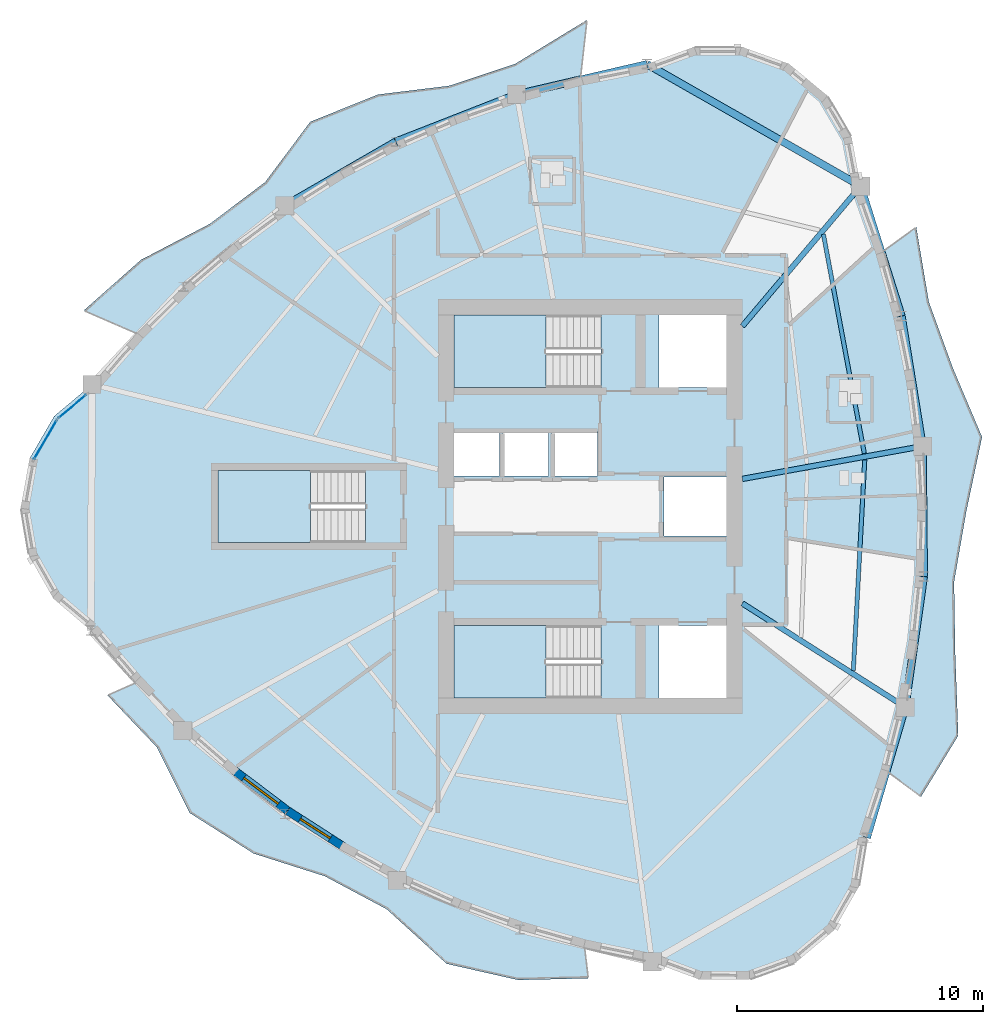
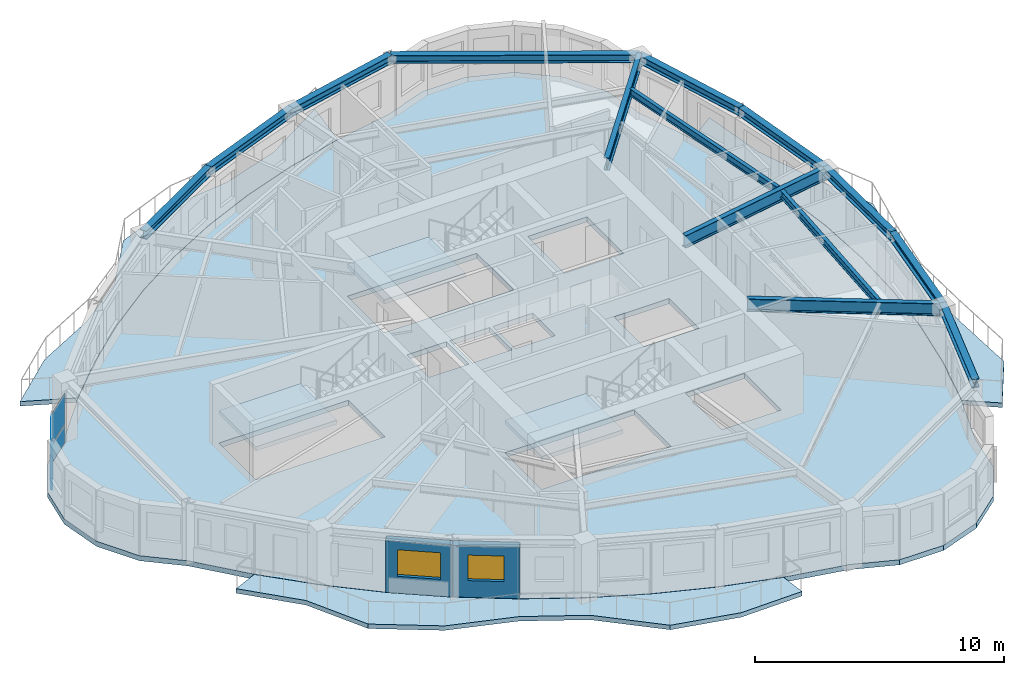
# One storey, part 3 of 13: 14 beams, 7 slabs, 4 plates, 2 walls, 2 windows, 2 openings, 5 elements without a shape of their own.
"""IFC4 building model written with IfcOpenShell, lengths in metres."""

from ifc_helpers import new_model, si_unit, direction, frame, frame_2d, origin, origin_2d, place, context, subcontext, project, spatial, polyline, rectangle, i_section, outline, extrude, source, transform, mapped, material, layer, layer_set, material_profile, profile_set, type_object, element, fill, aggregate, save


model = new_model("IFC4")

# Units and contexts
model_context = context("Model", 3, precision=1e-05, world=origin(), true_north=direction((0.0, 1.0)))
body_context = subcontext(model_context, "Body", "Model", "MODEL_VIEW")
ifc_project = project(units=[si_unit("LENGTHUNIT", "METRE"), si_unit("AREAUNIT", "SQUARE_METRE"), si_unit("VOLUMEUNIT", "CUBIC_METRE"), si_unit("PLANEANGLEUNIT", "RADIAN"), si_unit("MASSUNIT", "GRAM", prefix="KILO")], contexts=[model_context])

# Site, building, storey
site_placement = place(None, origin())
site = spatial("IfcSite", under=ifc_project, at=site_placement, CompositionType="ELEMENT")
building_placement = place(site_placement, origin())
building = spatial("IfcBuilding", under=site, at=building_placement, Name="Qafzar Sky-Pleat Residences", CompositionType="ELEMENT")
storey_placement = place(building_placement, frame((0.0, 0.0, 136.199951171875)))
storey = spatial("IfcBuildingStorey", under=building, at=storey_placement, Name="L40", CompositionType="ELEMENT", Elevation=136.199951171875)

# Beams
ifc_material_1 = material(Name="Steel S355", Category="steel")
ifc_material_profile_1 = material_profile(ifc_material_1, i_section(OverallWidth=0.300048828125, OverallDepth=0.39990234375, WebThickness=0.013427734375, FlangeThickness=0.02392578125, FilletRadius=0.027099609375, at=origin_2d()), Name="HEB 400")
ifc_profile_set_1 = profile_set([ifc_material_profile_1], Name="Steel S355")
beam_type_1 = type_object("IfcBeamType", Name="BM-SPAN-HEB400", PredefinedType="SPANDREL", material=ifc_profile_set_1)
shared_shape_1 = source(origin(), body_context, "Body", "SweptSolid", [
    extrude(i_section(OverallWidth=0.300048828125, OverallDepth=0.39990234375, WebThickness=0.013427734375, FlangeThickness=0.02392578125, FilletRadius=0.027099609375, at=origin_2d()), origin(), (0.0, 0.0, 1.0), 5.548095703125),
])
beam_1_placement = place(storey_placement, frame((43.030517578125, 33.757080078125, 2.748046875), z_axis=(-0.300103485424, 0.953906650588, 0.0), x_axis=(-0.953906650588, -0.300103485424, 0.0)))
element("IfcBeam", 1, at=beam_1_placement, inside=storey, type_object=beam_type_1, Name="L40 Perimeter Spandrel Beam 12", PredefinedType="SPANDREL", context=body_context, shape_type="MappedRepresentation", body=[
    mapped(shared_shape_1, transform((0.0, 0.0, 0.0), x_axis=(1.0, 0.0, 0.0), y_axis=(0.0, 1.0, 0.0), z_axis=(0.0, 0.0, 1.0), scale=1.0)),
])
shared_shape_2 = source(origin(), body_context, "Body", "SweptSolid", [
    extrude(i_section(OverallWidth=0.300048828125, OverallDepth=0.39990234375, WebThickness=0.013427734375, FlangeThickness=0.02392578125, FilletRadius=0.027099609375, at=origin_2d()), origin(), (0.0, 0.0, 1.0), 5.369384765625),
])
for number, where, z_axis, x_axis, name in (
    (2, (43.18359375, 17.83251953125, 2.748046875), (0.140772028478, 0.99004203749, 0.0), (-0.99004203749, 0.140772028478, 0.0), "L40 Perimeter Spandrel Beam 9"),
    (3, (43.88818359375, 28.45654296875, 2.748046875), (-0.159729894545, 0.987160757318, 0.0), (-0.987160757318, -0.159729894545, 0.0), "L40 Perimeter Spandrel Beam 11"),
):
    element("IfcBeam", number, at=place(storey_placement, frame(where, z_axis=z_axis, x_axis=x_axis)), inside=storey, type_object=beam_type_1, Name=name, PredefinedType="SPANDREL", context=body_context, shape_type="MappedRepresentation", body=[
        mapped(shared_shape_2, transform((0.0, 0.0, 0.0), x_axis=(1.0, 0.0, 0.0), y_axis=(0.0, 1.0, 0.0), z_axis=(0.0, 0.0, 1.0), scale=1.0)),
    ])
shared_shape_3 = source(origin(), body_context, "Body", "SweptSolid", [
    extrude(i_section(OverallWidth=0.300048828125, OverallDepth=0.39990234375, WebThickness=0.013427734375, FlangeThickness=0.02392578125, FilletRadius=0.027099609375, at=origin_2d()), origin(), (0.0, 0.0, 1.0), 5.54833984375),
])
beam_2_placement = place(storey_placement, frame((41.62109375, 12.5087890625, 2.748046875), z_axis=(0.281618344189, 0.959526502092, 0.0), x_axis=(-0.959526502092, 0.281618344189, 0.0)))
element("IfcBeam", 4, at=beam_2_placement, inside=storey, type_object=beam_type_1, Name="L40 Perimeter Spandrel Beam 8", PredefinedType="SPANDREL", context=body_context, shape_type="MappedRepresentation", body=[
    mapped(shared_shape_3, transform((0.0, 0.0, 0.0), x_axis=(1.0, 0.0, 0.0), y_axis=(0.0, 1.0, 0.0), z_axis=(0.0, 0.0, 1.0), scale=1.0)),
])
shared_shape_4 = source(origin(), body_context, "Body", "SweptSolid", [
    extrude(i_section(OverallWidth=0.300048828125, OverallDepth=0.39990234375, WebThickness=0.013427734375, FlangeThickness=0.02392578125, FilletRadius=0.027099609375, at=origin_2d()), origin(), (0.0, 0.0, 1.0), 5.308349609375),
])
beam_3_placement = place(storey_placement, frame((43.939453125, 23.1484375, 2.748046875), z_axis=(-0.009658274544, 0.999953357779, 0.0), x_axis=(-0.999953357779, -0.009658274544, 0.0)))
element("IfcBeam", 5, at=beam_3_placement, inside=storey, type_object=beam_type_1, Name="L40 Perimeter Spandrel Beam 10", PredefinedType="SPANDREL", context=body_context, shape_type="MappedRepresentation", body=[
    mapped(shared_shape_4, transform((0.0, 0.0, 0.0), x_axis=(1.0, 0.0, 0.0), y_axis=(0.0, 1.0, 0.0), z_axis=(0.0, 0.0, 1.0), scale=1.0)),
])
shared_shape_5 = source(origin(), body_context, "Body", "SweptSolid", [
    extrude(i_section(OverallWidth=0.300048828125, OverallDepth=0.39990234375, WebThickness=0.013427734375, FlangeThickness=0.02392578125, FilletRadius=0.027099609375, at=origin_2d()), origin(), (0.0, 0.0, 1.0), 10.017578125),
])
beam_4_placement = place(storey_placement, frame((41.365478515625, 39.049560546875, 2.748046875), z_axis=(-0.868418560379, 0.495831830351, 0.0), x_axis=(-0.495831830351, -0.868418560379, 0.0)))
element("IfcBeam", 6, at=beam_4_placement, inside=storey, type_object=beam_type_1, Name="L40 Perimeter Spandrel Beam 13", PredefinedType="SPANDREL", context=body_context, shape_type="MappedRepresentation", body=[
    mapped(shared_shape_5, transform((0.0, 0.0, 0.0), x_axis=(1.0, 0.0, 0.0), y_axis=(0.0, 1.0, 0.0), z_axis=(0.0, 0.0, 1.0), scale=1.0)),
])
shared_shape_6 = source(origin(), body_context, "Body", "SweptSolid", [
    extrude(i_section(OverallWidth=0.300048828125, OverallDepth=0.39990234375, WebThickness=0.013427734375, FlangeThickness=0.02392578125, FilletRadius=0.027099609375, at=origin_2d()), origin(), (0.0, 0.0, 1.0), 5.45556640625),
])
beam_5_placement = place(storey_placement, frame((32.666015625, 44.0166015625, 2.748046875), z_axis=(-0.974014226201, -0.226486836609, 0.0), x_axis=(0.226486836609, -0.974014226201, 0.0)))
element("IfcBeam", 7, at=beam_5_placement, inside=storey, type_object=beam_type_1, Name="L40 Perimeter Spandrel Beam 14", PredefinedType="SPANDREL", context=body_context, shape_type="MappedRepresentation", body=[
    mapped(shared_shape_6, transform((0.0, 0.0, 0.0), x_axis=(1.0, 0.0, 0.0), y_axis=(0.0, 1.0, 0.0), z_axis=(0.0, 0.0, 1.0), scale=1.0)),
])
shared_shape_7 = source(origin(), body_context, "Body", "SweptSolid", [
    extrude(i_section(OverallWidth=0.300048828125, OverallDepth=0.39990234375, WebThickness=0.013427734375, FlangeThickness=0.02392578125, FilletRadius=0.027099609375, at=origin_2d()), origin(), (0.0, 0.0, 1.0), 5.27978515625),
])
beam_6_placement = place(storey_placement, frame((27.352294921875, 42.781005859375, 2.748046875), z_axis=(-0.931340989142, -0.364148269177, 0.0), x_axis=(0.364148269177, -0.931340989142, 0.0)))
element("IfcBeam", 8, at=beam_6_placement, inside=storey, type_object=beam_type_1, Name="L40 Perimeter Spandrel Beam 15", PredefinedType="SPANDREL", context=body_context, shape_type="MappedRepresentation", body=[
    mapped(shared_shape_7, transform((0.0, 0.0, 0.0), x_axis=(1.0, 0.0, 0.0), y_axis=(0.0, 1.0, 0.0), z_axis=(0.0, 0.0, 1.0), scale=1.0)),
])
shared_shape_8 = source(origin(), body_context, "Body", "SweptSolid", [
    extrude(i_section(OverallWidth=0.300048828125, OverallDepth=0.39990234375, WebThickness=0.013427734375, FlangeThickness=0.02392578125, FilletRadius=0.027099609375, at=origin_2d()), origin(), (0.0, 0.0, 1.0), 5.219482421875),
])
beam_7_placement = place(storey_placement, frame((22.43505859375, 40.8583984375, 2.748046875), z_axis=(-0.866018117109, -0.50001262068, 0.0), x_axis=(0.50001262068, -0.866018117109, 0.0)))
element("IfcBeam", 9, at=beam_7_placement, inside=storey, type_object=beam_type_1, Name="L40 Perimeter Spandrel Beam 16", PredefinedType="SPANDREL", context=body_context, shape_type="MappedRepresentation", body=[
    mapped(shared_shape_8, transform((0.0, 0.0, 0.0), x_axis=(1.0, 0.0, 0.0), y_axis=(0.0, 1.0, 0.0), z_axis=(0.0, 0.0, 1.0), scale=1.0)),
])
ifc_material_profile_2 = material_profile(ifc_material_1, i_section(OverallWidth=0.219970703125, OverallDepth=0.60009765625, WebThickness=0.011962890625, FlangeThickness=0.01904296875, FilletRadius=0.02392578125, at=origin_2d()), Name="IPE 600")
ifc_profile_set_2 = profile_set([ifc_material_profile_2], Name="Steel S355")
beam_type_2 = type_object("IfcBeamType", Name="BM-SEC-IPE600", PredefinedType="BEAM", material=ifc_profile_set_2)
shared_shape_9 = source(origin(), body_context, "Body", "SweptSolid", [
    extrude(i_section(OverallWidth=0.219970703125, OverallDepth=0.60009765625, WebThickness=0.011962890625, FlangeThickness=0.01904296875, FilletRadius=0.02392578125, at=origin_2d()), origin(), (0.0, 0.0, 1.0), 7.863037109375),
])
beam_8_placement = place(storey_placement, frame((43.18359375, 17.83251953125, 2.64794921875), z_axis=(-0.843642309645, 0.536905627999, 0.0), x_axis=(-0.536905627999, -0.843642309645, 0.0)))
element("IfcBeam", 10, at=beam_8_placement, inside=storey, type_object=beam_type_2, Name="L40 Radial Floor Girder 9", PredefinedType="BEAM", context=body_context, shape_type="MappedRepresentation", body=[
    mapped(shared_shape_9, transform((0.0, 0.0, 0.0), x_axis=(1.0, 0.0, 0.0), y_axis=(0.0, 1.0, 0.0), z_axis=(0.0, 0.0, 1.0), scale=1.0)),
])
shared_shape_10 = source(origin(), body_context, "Body", "SweptSolid", [
    extrude(i_section(OverallWidth=0.219970703125, OverallDepth=0.60009765625, WebThickness=0.011962890625, FlangeThickness=0.01904296875, FilletRadius=0.02392578125, at=origin_2d()), origin(), (0.0, 0.0, 1.0), 7.4580078125),
])
beam_9_placement = place(storey_placement, frame((43.88818359375, 28.45654296875, 2.64794921875), z_axis=(-0.983932701644, -0.178539739654, 0.0), x_axis=(0.178539739654, -0.983932701644, 0.0)))
element("IfcBeam", 11, at=beam_9_placement, inside=storey, type_object=beam_type_2, Name="L40 Radial Floor Girder 11", PredefinedType="BEAM", context=body_context, shape_type="MappedRepresentation", body=[
    mapped(shared_shape_10, transform((0.0, 0.0, 0.0), x_axis=(1.0, 0.0, 0.0), y_axis=(0.0, 1.0, 0.0), z_axis=(0.0, 0.0, 1.0), scale=1.0)),
])
shared_shape_11 = source(origin(), body_context, "Body", "SweptSolid", [
    extrude(i_section(OverallWidth=0.219970703125, OverallDepth=0.60009765625, WebThickness=0.011962890625, FlangeThickness=0.01904296875, FilletRadius=0.02392578125, at=origin_2d()), origin(), (0.0, 0.0, 1.0), 7.465576171875),
])
beam_10_placement = place(storey_placement, frame((41.365478515625, 39.049560546875, 2.64794921875), z_axis=(-0.645025540345, -0.764161012028, 0.0), x_axis=(0.764161012028, -0.645025540345, 0.0)))
element("IfcBeam", 12, at=beam_10_placement, inside=storey, type_object=beam_type_2, Name="L40 Radial Floor Girder 13", PredefinedType="BEAM", context=body_context, shape_type="MappedRepresentation", body=[
    mapped(shared_shape_11, transform((0.0, 0.0, 0.0), x_axis=(1.0, 0.0, 0.0), y_axis=(0.0, 1.0, 0.0), z_axis=(0.0, 0.0, 1.0), scale=1.0)),
])
ifc_material_profile_3 = material_profile(ifc_material_1, i_section(OverallWidth=0.169921875, OverallDepth=0.360107421875, WebThickness=0.008056640625, FlangeThickness=0.0126953125, FilletRadius=0.01806640625, at=origin_2d()), Name="IPE 360")
ifc_profile_set_3 = profile_set([ifc_material_profile_3], Name="Steel S355")
beam_type_3 = type_object("IfcBeamType", Name="BM-JST-IPE360", PredefinedType="JOIST", material=ifc_profile_set_3)
shared_shape_12 = source(origin(), body_context, "Body", "SweptSolid", [
    extrude(i_section(OverallWidth=0.169921875, OverallDepth=0.360107421875, WebThickness=0.008056640625, FlangeThickness=0.0126953125, FilletRadius=0.01806640625, at=origin_2d()), origin(), (0.0, 0.0, 1.0), 8.590087890625),
])
beam_11_placement = place(storey_placement, frame((41.068115234375, 19.318359375, 2.76806640625), z_axis=(0.054086315156, 0.998536263995, 0.0), x_axis=(-0.998536263995, 0.054086315156, 0.0)))
element("IfcBeam", 13, at=beam_11_placement, inside=storey, type_object=beam_type_3, Name="L40 Outer Secondary Floor Joist 5", PredefinedType="JOIST", context=body_context, shape_type="MappedRepresentation", body=[
    mapped(shared_shape_12, transform((0.0, 0.0, 0.0), x_axis=(1.0, 0.0, 0.0), y_axis=(0.0, 1.0, 0.0), z_axis=(0.0, 0.0, 1.0), scale=1.0)),
])
shared_shape_13 = source(origin(), body_context, "Body", "SweptSolid", [
    extrude(i_section(OverallWidth=0.169921875, OverallDepth=0.360107421875, WebThickness=0.008056640625, FlangeThickness=0.0126953125, FilletRadius=0.01806640625, at=origin_2d()), origin(), (0.0, 0.0, 1.0), 9.082275390625),
])
beam_12_placement = place(storey_placement, frame((41.515380859375, 28.1630859375, 2.76806640625), z_axis=(-0.183434771009, 0.983031883911, 0.0), x_axis=(-0.983031883911, -0.183434771009, 0.0)))
element("IfcBeam", 14, at=beam_12_placement, inside=storey, type_object=beam_type_3, Name="L40 Outer Secondary Floor Joist 6", PredefinedType="JOIST", context=body_context, shape_type="MappedRepresentation", body=[
    mapped(shared_shape_13, transform((0.0, 0.0, 0.0), x_axis=(1.0, 0.0, 0.0), y_axis=(0.0, 1.0, 0.0), z_axis=(0.0, 0.0, 1.0), scale=1.0)),
])

# Slabs
ifc_material_2 = material(Name="Concrete C40/50", Category="concrete")
ifc_layer_1 = layer(ifc_material_2, 0.219970703125)
ifc_layer_set_1 = layer_set([ifc_layer_1], Name="Concrete C40/50")
slab_type_1 = type_object("IfcSlabType", Name="SLAB-BAL-220", PredefinedType="USERDEFINED", material=ifc_layer_set_1)
slab_1_placement = place(storey_placement, frame((0.0, 0.0, -0.219970703125)))
element("IfcSlab", 15, at=slab_1_placement, inside=storey, type_object=slab_type_1, Name="L40 Pleated Stone Balcony 1", ObjectType="BALCONY", PredefinedType="USERDEFINED", context=body_context, shape_type="SweptSolid", body=[
    extrude(outline(polyline([(43.1943359375, 17.826904296875), (43.673583984375, 20.4873046875), (43.951171875, 23.146240234375), (44.02685546875, 25.803466796875), (43.900146484375, 28.45849609375), (43.571533203125, 31.111572265625), (43.041015625, 33.762451171875), (42.30859375, 36.411376953125), (43.633056640625, 37.375), (44.14111328125, 34.330322265625), (45.1279296875, 31.622314453125), (46.3095703125, 28.8310546875), (45.664794921875, 25.783203125), (45.169921875, 22.92822265625), (45.218994140625, 19.944091796875), (45.34130859375, 16.671875), (43.825439453125, 14.1845703125), (42.512939453125, 15.164306640625), (43.1943359375, 17.826904296875)])), origin(), (0.0, 0.0, 1.0), 0.219970703125),
])
slab_2_placement = place(storey_placement, frame((0.0, 0.0, -0.219970703125)))
element("IfcSlab", 16, at=slab_2_placement, inside=storey, type_object=slab_type_1, Name="L40 Pleated Stone Balcony 2", ObjectType="BALCONY", PredefinedType="USERDEFINED", context=body_context, shape_type="SweptSolid", body=[
    extrude(outline(polyline([(27.351806640625, 42.793212890625), (24.841796875, 41.91748046875), (22.430908203125, 40.86962890625), (20.119384765625, 39.649658203125), (17.906982421875, 38.2578125), (15.794189453125, 36.69384765625), (13.781005859375, 34.9580078125), (11.866943359375, 33.05029296875), (9.731201171875, 33.983642578125), (12.056640625, 36.044189453125), (14.863037109375, 37.509521484375), (17.1201171875, 39.21337890625), (18.953857421875, 41.668212890625), (21.716064453125, 42.7783203125), (24.6005859375, 43.131591796875), (27.303955078125, 44.0302734375), (30.22021484375, 45.81298828125), (29.960693359375, 43.49658203125), (27.351806640625, 42.793212890625)])), origin(), (0.0, 0.0, 1.0), 0.219970703125),
])
slab_3_placement = place(storey_placement, frame((0.0, 0.0, -0.219970703125)))
element("IfcSlab", 17, at=slab_3_placement, inside=storey, type_object=slab_type_1, Name="L40 Pleated Stone Balcony 3", ObjectType="BALCONY", PredefinedType="USERDEFINED", context=body_context, shape_type="SweptSolid", body=[
    extrude(outline(polyline([(13.7568359375, 16.855224609375), (15.78759765625, 15.0703125), (17.9208984375, 13.459228515625), (20.156982421875, 12.022216796875), (22.49560546875, 10.7587890625), (24.93701171875, 9.669921875), (27.48095703125, 8.7548828125), (30.12744140625, 8.013671875), (30.272705078125, 6.7841796875), (27.419677734375, 6.7177734375), (24.50732421875, 7.37890625), (22.0751953125, 9.594482421875), (19.551025390625, 10.9423828125), (16.644287109375, 11.87060546875), (14.050537109375, 13.515869140625), (12.715087890625, 16.1865234375), (10.697998046875, 18.311279296875), (11.8291015625, 18.81396484375), (13.7568359375, 16.855224609375)])), origin(), (0.0, 0.0, 1.0), 0.219970703125),
])
ifc_layer_2 = layer(ifc_material_2, 0.25)
ifc_layer_set_2 = layer_set([ifc_layer_2], Name="Concrete C40/50")
slab_type_2 = type_object("IfcSlabType", Name="SLAB-FLR-250", PredefinedType="FLOOR", material=ifc_layer_set_2)
slab_4_placement = place(storey_placement, frame((0.0, 0.0, -0.25)))
element("IfcSlab", 18, at=slab_4_placement, inside=storey, type_object=slab_type_2, Name="L40 Structural Floor Slab", PredefinedType="FLOOR", context=body_context, shape_type="SweptSolid", body=[
    extrude(outline(polyline([(10.064208984375, 30.967529296875), (8.527099609375, 29.679931640625), (7.520263671875, 27.94580078125), (7.164306640625, 25.972412109375), (7.501220703125, 23.995849609375), (8.4912109375, 22.252197265625), (10.015869140625, 20.94970703125), (11.840087890625, 18.81884765625), (13.76708984375, 16.86181640625), (15.79638671875, 15.078369140625), (17.928466796875, 13.468505859375), (20.162841796875, 12.03271484375), (22.499755859375, 10.770263671875), (24.939208984375, 9.681640625), (27.4814453125, 8.766845703125), (30.1259765625, 8.025634765625), (32.873291015625, 7.458251953125), (34.777587890625, 6.747802734375), (36.810302734375, 6.73779296875), (38.721435546875, 7.429931640625), (40.2763671875, 8.739013671875), (41.2841796875, 10.50439453125), (41.62109375, 12.5087890625), (42.50341796875, 15.171630859375), (43.18359375, 17.83251953125), (43.662353515625, 20.491455078125), (43.939453125, 23.1484375), (44.014892578125, 25.803466796875), (43.88818359375, 28.45654296875), (43.560302734375, 31.10791015625), (43.030517578125, 33.757080078125), (42.298828125, 36.404296875), (41.365478515625, 39.049560546875), (41.0, 41.021240234375), (39.98486328125, 42.75048828125), (38.441650390625, 44.030517578125), (36.5546875, 44.708984375), (34.549560546875, 44.7041015625), (32.666015625, 44.0166015625), (29.95947265625, 43.48486328125), (27.352294921875, 42.781005859375), (24.843994140625, 41.905517578125), (22.43505859375, 40.8583984375), (20.125244140625, 39.639404296875), (17.914794921875, 38.24853515625), (15.80322265625, 36.685791015625), (13.791015625, 34.95166015625), (11.8779296875, 33.04541015625), (10.064208984375, 30.967529296875)]), holes=[polyline([(30.797119140625, 21.14990234375), (24.800048828125, 21.14990234375), (24.800048828125, 18.199951171875), (30.797119140625, 18.199951171875), (30.797119140625, 21.14990234375)]), polyline([(30.797119140625, 33.800048828125), (24.800048828125, 33.800048828125), (24.800048828125, 30.85009765625), (30.797119140625, 30.85009765625), (30.797119140625, 33.800048828125)]), polyline([(21.197021484375, 27.47509765625), (15.199951171875, 27.47509765625), (15.199951171875, 24.52490234375), (21.197021484375, 24.52490234375), (21.197021484375, 27.47509765625)]), polyline([(24.800048828125, 27.25), (26.64990234375, 27.25), (26.64990234375, 29.050048828125), (24.800048828125, 29.050048828125), (24.800048828125, 27.25)]), polyline([(26.800048828125, 27.25), (28.64990234375, 27.25), (28.64990234375, 29.050048828125), (26.800048828125, 29.050048828125), (26.800048828125, 27.25)]), polyline([(28.800048828125, 27.25), (30.64990234375, 27.25), (30.64990234375, 29.050048828125), (28.800048828125, 29.050048828125), (28.800048828125, 27.25)]), polyline([(33.14990234375, 18.199951171875), (35.89990234375, 18.199951171875), (35.89990234375, 21.14990234375), (33.14990234375, 21.14990234375), (33.14990234375, 18.199951171875)]), polyline([(33.14990234375, 30.85009765625), (35.89990234375, 30.85009765625), (35.89990234375, 33.800048828125), (33.14990234375, 33.800048828125), (33.14990234375, 30.85009765625)]), polyline([(33.35009765625, 24.800048828125), (35.89990234375, 24.800048828125), (35.89990234375, 27.199951171875), (33.35009765625, 27.199951171875), (33.35009765625, 24.800048828125)])]), origin(), (0.0, 0.0, 1.0), 0.25),
])

# Stair, slab
stair_type = type_object("IfcStairType", Name="STAIR-H320", PredefinedType="HALF_TURN_STAIR", material=ifc_material_2)
stair_1_placement = place(storey_placement, origin())
stair_1 = element("IfcStair", 19, at=stair_1_placement, inside=storey, type_object=stair_type, Name="L40 Protected Exit Stair ST1", PredefinedType="HALF_TURN_STAIR")
ifc_layer_3 = layer(ifc_material_2, 0.199951171875)
ifc_layer_set_3 = layer_set([ifc_layer_3], Name="Concrete C40/50")
slab_type_3 = type_object("IfcSlabType", Name="SLAB-LANDING-200", PredefinedType="LANDING", material=ifc_layer_set_3)
slab_5_placement = place(storey_placement, frame((0.0, 0.0, 1.400146484375)))
slab_5 = element("IfcSlab", 20, at=slab_5_placement, type_object=slab_type_3, Name="ST1 landing 1", PredefinedType="LANDING", context=body_context, shape_type="SweptSolid", body=[
    extrude(outline(polyline([(28.56005859375, 21.14990234375), (24.800048828125, 21.14990234375), (24.800048828125, 18.199951171875), (28.56005859375, 18.199951171875), (28.56005859375, 21.14990234375)])), origin(), (0.0, 0.0, 1.0), 0.199951171875),
])
aggregate(stair_1, [slab_5])

stair_2_placement = place(storey_placement, origin())
stair_2 = element("IfcStair", 21, at=stair_2_placement, inside=storey, type_object=stair_type, Name="L40 Protected Exit Stair ST2", PredefinedType="HALF_TURN_STAIR")
slab_6_placement = place(storey_placement, frame((0.0, 0.0, 1.400146484375)))
slab_6 = element("IfcSlab", 22, at=slab_6_placement, type_object=slab_type_3, Name="ST2 landing 1", PredefinedType="LANDING", context=body_context, shape_type="SweptSolid", body=[
    extrude(outline(polyline([(28.56005859375, 33.800048828125), (24.800048828125, 33.800048828125), (24.800048828125, 30.85009765625), (28.56005859375, 30.85009765625), (28.56005859375, 33.800048828125)])), origin(), (0.0, 0.0, 1.0), 0.199951171875),
])
aggregate(stair_2, [slab_6])

stair_3_placement = place(storey_placement, origin())
stair_3 = element("IfcStair", 23, at=stair_3_placement, inside=storey, type_object=stair_type, Name="L40 Protected Exit Stair ST3", PredefinedType="HALF_TURN_STAIR")
slab_7_placement = place(storey_placement, frame((0.0, 0.0, 1.400146484375)))
slab_7 = element("IfcSlab", 24, at=slab_7_placement, type_object=slab_type_3, Name="ST3 landing 1", PredefinedType="LANDING", context=body_context, shape_type="SweptSolid", body=[
    extrude(outline(polyline([(18.9599609375, 27.47509765625), (15.199951171875, 27.47509765625), (15.199951171875, 24.52490234375), (18.9599609375, 24.52490234375), (18.9599609375, 27.47509765625)])), origin(), (0.0, 0.0, 1.0), 0.199951171875),
])
aggregate(stair_3, [slab_7])

# Curtain wall, plates
ifc_material_3 = material(Name="Anodised bronze aluminium framing", Category="aluminium")
ifc_layer_4 = layer(ifc_material_3, 0.199951171875)
ifc_layer_set_4 = layer_set([ifc_layer_4], Name="Anodised bronze aluminium framing")
curtain_wall_type = type_object("IfcCurtainWallType", Name="CW-SYS-04", PredefinedType="NOTDEFINED", material=ifc_layer_set_4)
curtain_wall_1_placement = place(storey_placement, origin())
curtain_wall_1 = element("IfcCurtainWall", 25, at=curtain_wall_1_placement, inside=storey, type_object=curtain_wall_type, Name="L40 CW-04 Curtain Wall CW-L40-WG-07", PredefinedType="NOTDEFINED")
ifc_material_4 = material(Name="Solar-control double low-E glazing", Category="glass")
ifc_layer_5 = layer(ifc_material_4, 0.028076171875)
ifc_layer_set_5 = layer_set([ifc_layer_5], Name="Solar-control double low-E glazing")
plate_type = type_object("IfcPlateType", Name="CWP-04", PredefinedType="CURTAIN_PANEL", material=ifc_layer_set_5)
shared_shape_14 = source(origin(), body_context, "Body", "SweptSolid", [
    extrude(rectangle(XDim=1.460205078125, YDim=0.028076171875, at=origin_2d()), origin(), (0.0, 0.0, 1.0), 0.864013671875),
])
plate_1_placement = place(storey_placement, frame((9.260986328125, 30.072998046875, 0.06494140625), z_axis=(0.0, 0.0, 1.0), x_axis=(-0.766558966042, -0.642173926269, 0.0)))
plate_1 = element("IfcPlate", 26, at=plate_1_placement, type_object=plate_type, Name="CW-04 panel 1.1", PredefinedType="CURTAIN_PANEL", context=body_context, shape_type="MappedRepresentation", body=[
    mapped(shared_shape_14, transform((0.0, 0.0, 0.0), x_axis=(1.0, 0.0, 0.0), y_axis=(0.0, 1.0, 0.0), z_axis=(0.0, 0.0, 1.0), scale=1.0)),
])
shared_shape_15 = source(origin(), body_context, "Body", "SweptSolid", [
    extrude(rectangle(XDim=1.460205078125, YDim=0.028076171875, at=origin_2d()), origin(), (0.0, 0.0, 1.0), 1.47119140625),
])
plate_2_placement = place(storey_placement, frame((9.260986328125, 30.072998046875, 0.993896484375), z_axis=(0.0, 0.0, 1.0), x_axis=(-0.766558966042, -0.642173926269, 0.0)))
plate_2 = element("IfcPlate", 27, at=plate_2_placement, type_object=plate_type, Name="CW-04 panel 1.2", PredefinedType="CURTAIN_PANEL", context=body_context, shape_type="MappedRepresentation", body=[
    mapped(shared_shape_15, transform((0.0, 0.0, 0.0), x_axis=(1.0, 0.0, 0.0), y_axis=(0.0, 1.0, 0.0), z_axis=(0.0, 0.0, 1.0), scale=1.0)),
])
aggregate(curtain_wall_1, [plate_1, plate_2])

curtain_wall_2_placement = place(storey_placement, origin())
curtain_wall_2 = element("IfcCurtainWall", 28, at=curtain_wall_2_placement, inside=storey, type_object=curtain_wall_type, Name="L40 CW-04 Curtain Wall CW-L40-WG-08", PredefinedType="NOTDEFINED")
shared_shape_16 = source(origin(), body_context, "Body", "SweptSolid", [
    extrude(rectangle(XDim=1.835205078125, YDim=0.028076171875, at=origin_2d()), origin(), (0.0, 0.0, 1.0), 0.864013671875),
])
plate_3_placement = place(storey_placement, frame((8.170654296875, 28.7275390625, 0.06494140625), z_axis=(0.0, 0.0, 1.0), x_axis=(-0.502034852079, -0.8648473896, 0.0)))
plate_3 = element("IfcPlate", 29, at=plate_3_placement, type_object=plate_type, Name="CW-04 panel 1.1", PredefinedType="CURTAIN_PANEL", context=body_context, shape_type="MappedRepresentation", body=[
    mapped(shared_shape_16, transform((0.0, 0.0, 0.0), x_axis=(1.0, 0.0, 0.0), y_axis=(0.0, 1.0, 0.0), z_axis=(0.0, 0.0, 1.0), scale=1.0)),
])
shared_shape_17 = source(origin(), body_context, "Body", "SweptSolid", [
    extrude(rectangle(XDim=1.835205078125, YDim=0.028076171875, at=origin_2d()), origin(), (0.0, 0.0, 1.0), 1.47119140625),
])
plate_4_placement = place(storey_placement, frame((8.170654296875, 28.7275390625, 0.993896484375), z_axis=(0.0, 0.0, 1.0), x_axis=(-0.502034852079, -0.8648473896, 0.0)))
plate_4 = element("IfcPlate", 30, at=plate_4_placement, type_object=plate_type, Name="CW-04 panel 1.2", PredefinedType="CURTAIN_PANEL", context=body_context, shape_type="MappedRepresentation", body=[
    mapped(shared_shape_17, transform((0.0, 0.0, 0.0), x_axis=(1.0, 0.0, 0.0), y_axis=(0.0, 1.0, 0.0), z_axis=(0.0, 0.0, 1.0), scale=1.0)),
])
aggregate(curtain_wall_2, [plate_3, plate_4])

# Wall, opening, window
ifc_material_5 = material(Name="Precast concrete C40/50 with honed Riyadh limestone", Category="concrete")
ifc_layer_6 = layer(ifc_material_5, 0.340087890625)
ifc_layer_set_6 = layer_set([ifc_layer_6], Name="Precast concrete C40/50 with honed Riyadh limestone")
wall_type = type_object("IfcWallType", Name="WALL-EXT-340", PredefinedType="SOLIDWALL", material=ifc_layer_set_6)
wall_1_placement = place(storey_placement, frame((15.868408203125, 15.23681640625, 0.0), z_axis=(0.0, 0.0, 1.0), x_axis=(0.798078784288, -0.602553113069, 0.0)))
wall_1 = element("IfcWall", 31, at=wall_1_placement, inside=storey, type_object=wall_type, Name="L40 Limestone Facade Wall 10", PredefinedType="SOLIDWALL", context=body_context, shape_type="SweptSolid", body=[
    extrude(rectangle(XDim=2.689453125, YDim=0.340087890625, at=frame_2d((1.3447265625, 0.0))), origin(), (0.0, 0.0, 1.0), 2.530029296875),
])
opening_1_placement = place(wall_1_placement, frame((0.479736328125, 0.0, 0.820068359375)))
opening_1 = element("IfcOpeningElement", 32, at=opening_1_placement, cuts=wall_1, Name="Opening WN-14", PredefinedType="OPENING", context=body_context, shape_type="SweptSolid", body=[
    extrude(rectangle(XDim=1.75, YDim=1.300048828125, at=frame_2d((0.875, 0.64990234375))), frame((0.0, 0.18017578125, 0.0), z_axis=(0.0, -1.0, 0.0), x_axis=(1.0, 0.0, 0.0)), (0.0, 0.0, 1.0), 0.360107421875),
])
ifc_material_6 = material(Name="Solar-control low-E glass in bronze aluminium frame", Category="glass")
window_type_1 = type_object("IfcWindowType", Name="WIN-14", PartitioningType="DOUBLE_PANEL_VERTICAL", PredefinedType="WINDOW", material=ifc_material_6)
shared_shape_18 = source(origin(), body_context, "Body", "SweptSolid", [
    extrude(rectangle(XDim=1.75, YDim=1.300048828125, at=frame_2d((0.875, 0.64990234375))), frame((0.0, 0.030029296875, 0.0), z_axis=(0.0, -1.0, 0.0), x_axis=(1.0, 0.0, 0.0)), (0.0, 0.0, 1.0), 0.06005859375),
])
window_1_placement = place(opening_1_placement, origin())
window_1 = element("IfcWindow", 33, at=window_1_placement, inside=storey, type_object=window_type_1, Name="L40 Punched Facade Window 10", OverallHeight=1.300048828125, OverallWidth=1.75, PartitioningType="SINGLE_PANEL", PredefinedType="WINDOW", context=body_context, shape_type="MappedRepresentation", body=[
    mapped(shared_shape_18, transform((0.0, 0.0, 0.0), x_axis=(1.0, 0.0, 0.0), y_axis=(0.0, 1.0, 0.0), z_axis=(0.0, 0.0, 1.0), scale=1.0)),
])
fill(opening_1, window_1)

wall_2_placement = place(storey_placement, frame((18.037109375, 13.600830078125, 0.0), z_axis=(0.0, 0.0, 1.0), x_axis=(0.841231866542, -0.540674529375, 0.0)))
wall_2 = element("IfcWall", 34, at=wall_2_placement, inside=storey, type_object=wall_type, Name="L40 Limestone Facade Wall 11", PredefinedType="SOLIDWALL", context=body_context, shape_type="SweptSolid", body=[
    extrude(rectangle(XDim=2.674072265625, YDim=0.340087890625, at=frame_2d((1.3369140625, 0.0))), origin(), (0.0, 0.0, 1.0), 2.530029296875),
])
opening_2_placement = place(wall_2_placement, frame((0.60205078125, 0.0, 0.820068359375)))
opening_2 = element("IfcOpeningElement", 35, at=opening_2_placement, cuts=wall_2, Name="Opening WN-15", PredefinedType="OPENING", context=body_context, shape_type="SweptSolid", body=[
    extrude(rectangle(XDim=1.449951171875, YDim=1.25, at=frame_2d((0.72509765625, 0.625))), frame((0.0, 0.18017578125, 0.0), z_axis=(0.0, -1.0, 0.0), x_axis=(1.0, 0.0, 0.0)), (0.0, 0.0, 1.0), 0.360107421875),
])
window_type_2 = type_object("IfcWindowType", Name="WIN-15", PartitioningType="SINGLE_PANEL", PredefinedType="WINDOW", material=ifc_material_6)
shared_shape_19 = source(origin(), body_context, "Body", "SweptSolid", [
    extrude(rectangle(XDim=1.449951171875, YDim=1.25, at=frame_2d((0.72509765625, 0.625))), frame((0.0, 0.030029296875, 0.0), z_axis=(0.0, -1.0, 0.0), x_axis=(1.0, 0.0, 0.0)), (0.0, 0.0, 1.0), 0.06005859375),
])
window_2_placement = place(opening_2_placement, origin())
window_2 = element("IfcWindow", 36, at=window_2_placement, inside=storey, type_object=window_type_2, Name="L40 Punched Facade Window 11", OverallHeight=1.25, OverallWidth=1.449951171875, PartitioningType="SINGLE_PANEL", PredefinedType="WINDOW", context=body_context, shape_type="MappedRepresentation", body=[
    mapped(shared_shape_19, transform((0.0, 0.0, 0.0), x_axis=(1.0, 0.0, 0.0), y_axis=(0.0, 1.0, 0.0), z_axis=(0.0, 0.0, 1.0), scale=1.0)),
])
fill(opening_2, window_2)

save(model, "model.ifc")
